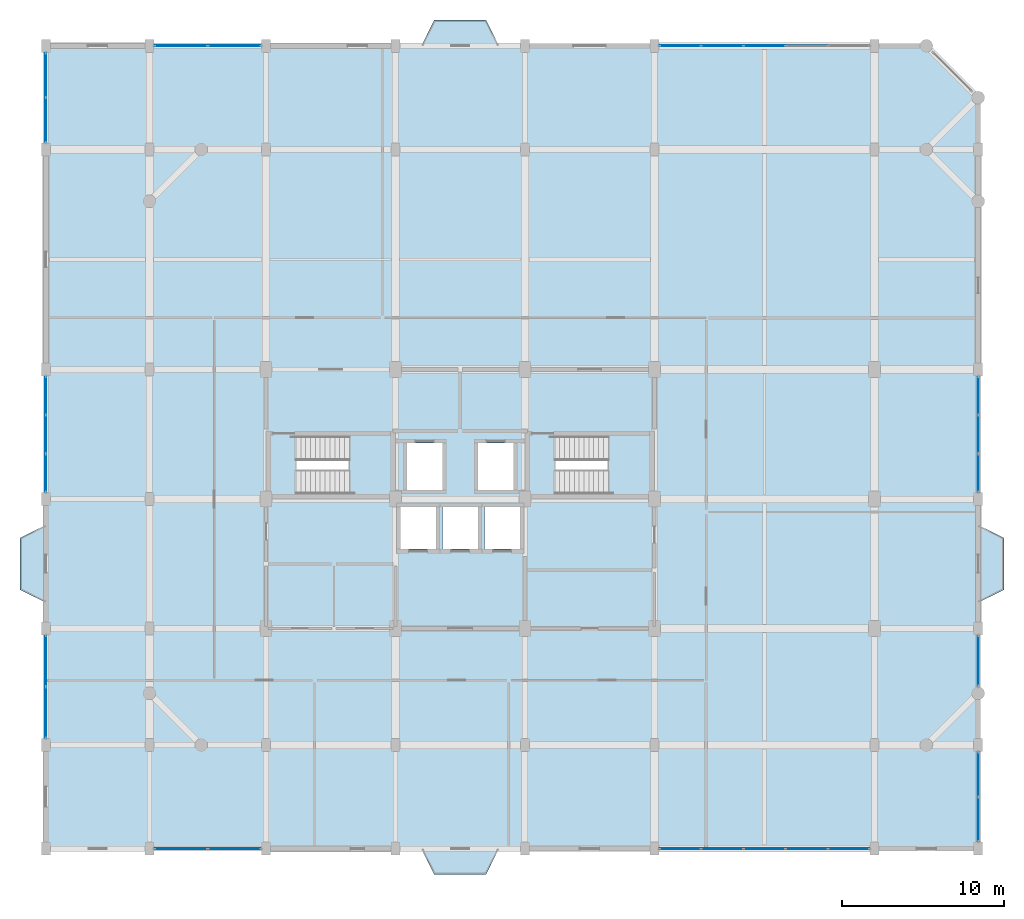
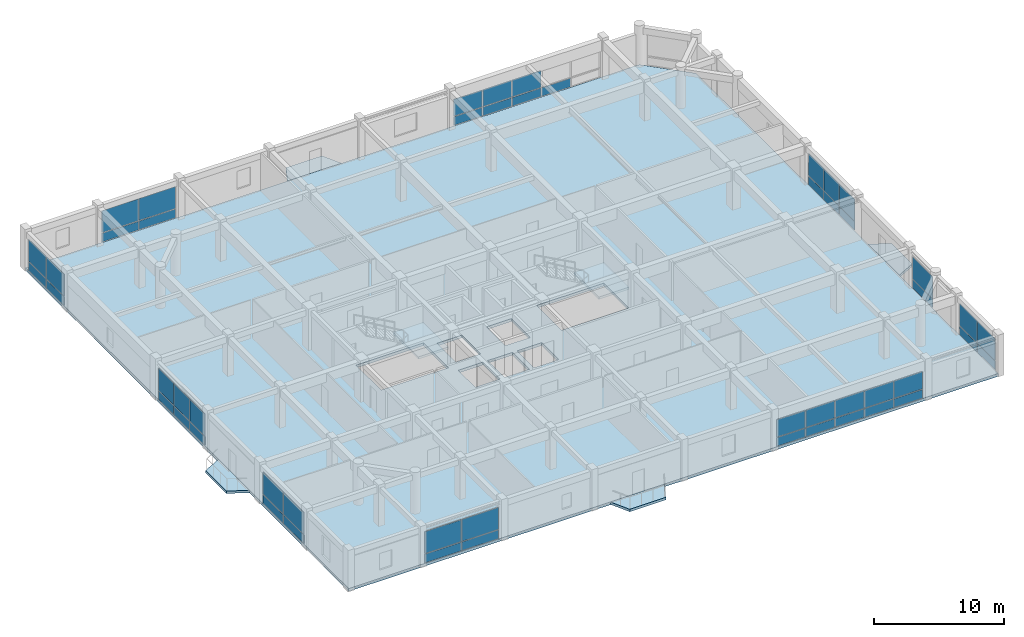
# One storey, part 10 of 15: 51 plates, 7 slabs, 12 elements without a shape of their own.
"""IFC4 building model written with IfcOpenShell, lengths in metres."""

from ifc_helpers import new_model, si_unit, direction, frame, origin, origin_2d, place, context, subcontext, project, spatial, polyline, rectangle, outline, extrude, material, layer, layer_set, type_object, element, aggregate, save


model = new_model("IFC4")

# Units and contexts
model_context = context("Model", 3, precision=1e-05, world=origin(), true_north=direction((0.0, 1.0)))
body_context = subcontext(model_context, "Body", "Model", "MODEL_VIEW")
ifc_project = project(units=[si_unit("LENGTHUNIT", "METRE"), si_unit("AREAUNIT", "SQUARE_METRE"), si_unit("VOLUMEUNIT", "CUBIC_METRE"), si_unit("PLANEANGLEUNIT", "RADIAN"), si_unit("MASSUNIT", "GRAM", prefix="KILO")], contexts=[model_context])

# Site, building, storey
site_placement = place(None, origin())
site = spatial("IfcSite", under=ifc_project, at=site_placement, CompositionType="ELEMENT")
building_placement = place(site_placement, origin())
building = spatial("IfcBuilding", under=site, at=building_placement, Name="Vellmiral Cinema and Media Centre", CompositionType="ELEMENT")
storey_placement = place(building_placement, frame((0.0, 0.0, 31.699951171875)))
storey = spatial("IfcBuildingStorey", under=building, at=storey_placement, Name="L07", CompositionType="ELEMENT", Elevation=31.699951171875)

# Curtain wall, plates
ifc_material_1 = material(Name="Thermally Broken Aluminium and Triple Glazing", Category="aluminium")
curtain_wall_type_1 = type_object("IfcCurtainWallType", Name="CW-TOWER-LOW-S", PredefinedType="USERDEFINED", material=ifc_material_1)
curtain_wall_1_placement = place(storey_placement, origin())
curtain_wall_1 = element("IfcCurtainWall", 1, at=curtain_wall_1_placement, inside=storey, type_object=curtain_wall_type_1, Name="Curtain Wall L07-B002", ObjectType="UNITISED CURTAIN WALL", PredefinedType="USERDEFINED")
ifc_material_2 = material(Name="Solar-Control Acoustic Triple Glazing", Category="glass")
ifc_layer_1 = layer(ifc_material_2, 0.0419921875, Name="Solar-Control Acoustic Triple Glazing")
ifc_layer_set_1 = layer_set([ifc_layer_1], Name="Solar-Control Acoustic Triple Glazing")
plate_type_1 = type_object("IfcPlateType", Name="CWP-SOLAR-42", PredefinedType="CURTAIN_PANEL", material=ifc_layer_set_1)
plate_1_placement = place(storey_placement, frame((118.753662109375, 65.60009765625, 0.9326171875), z_axis=(0.0, 0.0, 1.0), x_axis=(1.0, 0.0, 0.0)))
plate_1 = element("IfcPlate", 2, at=plate_1_placement, type_object=plate_type_1, Name="CW-06 panel 1.2", PredefinedType="CURTAIN_PANEL", context=body_context, shape_type="SweptSolid", body=[
    extrude(rectangle(XDim=3.2275390625, YDim=0.0419921875, at=origin_2d()), origin(), (0.0, 0.0, 1.0), 2.04248046875),
])
plate_2_placement = place(storey_placement, frame((122.046142578125, 65.60009765625, 0.9326171875), z_axis=(0.0, 0.0, 1.0), x_axis=(1.0, 0.0, 0.0)))
plate_2 = element("IfcPlate", 3, at=plate_2_placement, type_object=plate_type_1, Name="CW-06 panel 2.2", PredefinedType="CURTAIN_PANEL", context=body_context, shape_type="SweptSolid", body=[
    extrude(rectangle(XDim=3.2275390625, YDim=0.0419921875, at=origin_2d()), origin(), (0.0, 0.0, 1.0), 2.04248046875),
])

curtain_wall_2_placement = place(storey_placement, origin())
curtain_wall_2 = element("IfcCurtainWall", 4, at=curtain_wall_2_placement, inside=storey, type_object=curtain_wall_type_1, Name="Curtain Wall L07-B006", ObjectType="UNITISED CURTAIN WALL", PredefinedType="USERDEFINED")
plate_3_placement = place(storey_placement, frame((149.59619140625, 65.60009765625, 0.9326171875), z_axis=(0.0, 0.0, 1.0), x_axis=(1.0, 0.0, 0.0)))
plate_3 = element("IfcPlate", 5, at=plate_3_placement, type_object=plate_type_1, Name="CW-06 panel 1.2", PredefinedType="CURTAIN_PANEL", context=body_context, shape_type="SweptSolid", body=[
    extrude(rectangle(XDim=2.512451171875, YDim=0.0419921875, at=origin_2d()), origin(), (0.0, 0.0, 1.0), 1.62744140625),
])
plate_4_placement = place(storey_placement, frame((152.18994140625, 65.60009765625, 0.9326171875), z_axis=(0.0, 0.0, 1.0), x_axis=(1.0, 0.0, 0.0)))
plate_4 = element("IfcPlate", 6, at=plate_4_placement, type_object=plate_type_1, Name="CW-06 panel 2.2", PredefinedType="CURTAIN_PANEL", context=body_context, shape_type="SweptSolid", body=[
    extrude(rectangle(XDim=2.544921875, YDim=0.0419921875, at=origin_2d()), origin(), (0.0, 0.0, 1.0), 1.62744140625),
])
plate_5_placement = place(storey_placement, frame((154.800048828125, 65.60009765625, 0.9326171875), z_axis=(0.0, 0.0, 1.0), x_axis=(1.0, 0.0, 0.0)))
plate_5 = element("IfcPlate", 7, at=plate_5_placement, type_object=plate_type_1, Name="CW-06 panel 3.2", PredefinedType="CURTAIN_PANEL", context=body_context, shape_type="SweptSolid", body=[
    extrude(rectangle(XDim=2.544921875, YDim=0.0419921875, at=origin_2d()), origin(), (0.0, 0.0, 1.0), 1.62744140625),
])
plate_6_placement = place(storey_placement, frame((157.409912109375, 65.60009765625, 0.9326171875), z_axis=(0.0, 0.0, 1.0), x_axis=(1.0, 0.0, 0.0)))
plate_6 = element("IfcPlate", 8, at=plate_6_placement, type_object=plate_type_1, Name="CW-06 panel 4.2", PredefinedType="CURTAIN_PANEL", context=body_context, shape_type="SweptSolid", body=[
    extrude(rectangle(XDim=2.544921875, YDim=0.0419921875, at=origin_2d()), origin(), (0.0, 0.0, 1.0), 1.62744140625),
])
plate_7_placement = place(storey_placement, frame((160.003662109375, 65.60009765625, 0.9326171875), z_axis=(0.0, 0.0, 1.0), x_axis=(1.0, 0.0, 0.0)))
plate_7 = element("IfcPlate", 9, at=plate_7_placement, type_object=plate_type_1, Name="CW-06 panel 5.2", PredefinedType="CURTAIN_PANEL", context=body_context, shape_type="SweptSolid", body=[
    extrude(rectangle(XDim=2.512451171875, YDim=0.0419921875, at=origin_2d()), origin(), (0.0, 0.0, 1.0), 1.62744140625),
])

curtain_wall_3_placement = place(storey_placement, origin())
curtain_wall_3 = element("IfcCurtainWall", 10, at=curtain_wall_3_placement, inside=storey, type_object=curtain_wall_type_1, Name="Curtain Wall L07-B008", ObjectType="UNITISED CURTAIN WALL", PredefinedType="USERDEFINED")
plate_8_placement = place(storey_placement, frame((168.0, 67.416259765625, 0.9326171875), z_axis=(0.0, 0.0, 1.0), x_axis=(0.0, 1.0, 0.0)))
plate_8 = element("IfcPlate", 11, at=plate_8_placement, type_object=plate_type_1, Name="CW-06 panel 1.2", PredefinedType="CURTAIN_PANEL", context=body_context, shape_type="SweptSolid", body=[
    extrude(rectangle(XDim=2.702392578125, YDim=0.0419921875, at=origin_2d()), origin(), (0.0, 0.0, 1.0), 2.04248046875),
])
plate_9_placement = place(storey_placement, frame((168.0, 70.183837890625, 0.9326171875), z_axis=(0.0, 0.0, 1.0), x_axis=(0.0, 1.0, 0.0)))
plate_9 = element("IfcPlate", 12, at=plate_9_placement, type_object=plate_type_1, Name="CW-06 panel 2.2", PredefinedType="CURTAIN_PANEL", context=body_context, shape_type="SweptSolid", body=[
    extrude(rectangle(XDim=2.702392578125, YDim=0.0419921875, at=origin_2d()), origin(), (0.0, 0.0, 1.0), 2.04248046875),
])

# Curtain wall, plate
curtain_wall_4_placement = place(storey_placement, origin())
curtain_wall_4 = element("IfcCurtainWall", 13, at=curtain_wall_4_placement, inside=storey, type_object=curtain_wall_type_1, Name="Curtain Wall L07-B010", ObjectType="UNITISED CURTAIN WALL", PredefinedType="USERDEFINED")
plate_10_placement = place(storey_placement, frame((168.0, 77.199951171875, 0.9326171875), z_axis=(0.0, 0.0, 1.0), x_axis=(0.0, 1.0, 0.0)))
plate_10 = element("IfcPlate", 14, at=plate_10_placement, type_object=plate_type_1, Name="CW-06 panel 1.2", PredefinedType="CURTAIN_PANEL", context=body_context, shape_type="SweptSolid", body=[
    extrude(rectangle(XDim=3.070068359375, YDim=0.0419921875, at=origin_2d()), origin(), (0.0, 0.0, 1.0), 2.04248046875),
])

# Curtain wall, plates
curtain_wall_5_placement = place(storey_placement, origin())
curtain_wall_5 = element("IfcCurtainWall", 15, at=curtain_wall_5_placement, inside=storey, type_object=curtain_wall_type_1, Name="Curtain Wall L07-B012", ObjectType="UNITISED CURTAIN WALL", PredefinedType="USERDEFINED")
plate_11_placement = place(storey_placement, frame((168.0, 88.816162109375, 0.9326171875), z_axis=(0.0, 0.0, 1.0), x_axis=(0.0, 1.0, 0.0)))
plate_11 = element("IfcPlate", 16, at=plate_11_placement, type_object=plate_type_1, Name="CW-06 panel 1.2", PredefinedType="CURTAIN_PANEL", context=body_context, shape_type="SweptSolid", body=[
    extrude(rectangle(XDim=2.302490234375, YDim=0.0419921875, at=origin_2d()), origin(), (0.0, 0.0, 1.0), 2.04248046875),
])
plate_12_placement = place(storey_placement, frame((168.0, 91.199951171875, 0.9326171875), z_axis=(0.0, 0.0, 1.0), x_axis=(0.0, 1.0, 0.0)))
plate_12 = element("IfcPlate", 17, at=plate_12_placement, type_object=plate_type_1, Name="CW-06 panel 2.2", PredefinedType="CURTAIN_PANEL", context=body_context, shape_type="SweptSolid", body=[
    extrude(rectangle(XDim=2.3349609375, YDim=0.0419921875, at=origin_2d()), origin(), (0.0, 0.0, 1.0), 2.04248046875),
])
plate_13_placement = place(storey_placement, frame((168.0, 93.583740234375, 0.9326171875), z_axis=(0.0, 0.0, 1.0), x_axis=(0.0, 1.0, 0.0)))
plate_13 = element("IfcPlate", 18, at=plate_13_placement, type_object=plate_type_1, Name="CW-06 panel 3.2", PredefinedType="CURTAIN_PANEL", context=body_context, shape_type="SweptSolid", body=[
    extrude(rectangle(XDim=2.302490234375, YDim=0.0419921875, at=origin_2d()), origin(), (0.0, 0.0, 1.0), 2.04248046875),
])

curtain_wall_6_placement = place(storey_placement, origin())
curtain_wall_6 = element("IfcCurtainWall", 19, at=curtain_wall_6_placement, inside=storey, type_object=curtain_wall_type_1, Name="Curtain Wall L07-B018", ObjectType="UNITISED CURTAIN WALL", PredefinedType="USERDEFINED")
plate_14_placement = place(storey_placement, frame((154.800048828125, 115.199951171875, 0.9326171875), z_axis=(0.0, 0.0, 1.0), x_axis=(-1.0, 0.0, 0.0)))
plate_14 = element("IfcPlate", 20, at=plate_14_placement, type_object=plate_type_1, Name="CW-06 panel 3.2", PredefinedType="CURTAIN_PANEL", context=body_context, shape_type="SweptSolid", body=[
    extrude(rectangle(XDim=2.544921875, YDim=0.0419921875, at=origin_2d()), origin(), (0.0, 0.0, 1.0), 1.577392578125),
])
plate_15_placement = place(storey_placement, frame((152.18994140625, 115.199951171875, 0.9326171875), z_axis=(0.0, 0.0, 1.0), x_axis=(-1.0, 0.0, 0.0)))
plate_15 = element("IfcPlate", 21, at=plate_15_placement, type_object=plate_type_1, Name="CW-06 panel 4.2", PredefinedType="CURTAIN_PANEL", context=body_context, shape_type="SweptSolid", body=[
    extrude(rectangle(XDim=2.544921875, YDim=0.0419921875, at=origin_2d()), origin(), (0.0, 0.0, 1.0), 1.577392578125),
])
plate_16_placement = place(storey_placement, frame((149.59619140625, 115.199951171875, 0.9326171875), z_axis=(0.0, 0.0, 1.0), x_axis=(-1.0, 0.0, 0.0)))
plate_16 = element("IfcPlate", 22, at=plate_16_placement, type_object=plate_type_1, Name="CW-06 panel 5.2", PredefinedType="CURTAIN_PANEL", context=body_context, shape_type="SweptSolid", body=[
    extrude(rectangle(XDim=2.512451171875, YDim=0.0419921875, at=origin_2d()), origin(), (0.0, 0.0, 1.0), 1.577392578125),
])

curtain_wall_7_placement = place(storey_placement, origin())
curtain_wall_7 = element("IfcCurtainWall", 23, at=curtain_wall_7_placement, inside=storey, type_object=curtain_wall_type_1, Name="Curtain Wall L07-B022", ObjectType="UNITISED CURTAIN WALL", PredefinedType="USERDEFINED")
plate_17_placement = place(storey_placement, frame((122.046142578125, 115.199951171875, 0.9326171875), z_axis=(0.0, 0.0, 1.0), x_axis=(-1.0, 0.0, 0.0)))
plate_17 = element("IfcPlate", 24, at=plate_17_placement, type_object=plate_type_1, Name="CW-06 panel 1.2", PredefinedType="CURTAIN_PANEL", context=body_context, shape_type="SweptSolid", body=[
    extrude(rectangle(XDim=3.2275390625, YDim=0.0419921875, at=origin_2d()), origin(), (0.0, 0.0, 1.0), 2.04248046875),
])
plate_18_placement = place(storey_placement, frame((118.753662109375, 115.199951171875, 0.9326171875), z_axis=(0.0, 0.0, 1.0), x_axis=(-1.0, 0.0, 0.0)))
plate_18 = element("IfcPlate", 25, at=plate_18_placement, type_object=plate_type_1, Name="CW-06 panel 2.2", PredefinedType="CURTAIN_PANEL", context=body_context, shape_type="SweptSolid", body=[
    extrude(rectangle(XDim=3.2275390625, YDim=0.0419921875, at=origin_2d()), origin(), (0.0, 0.0, 1.0), 2.04248046875),
])

# Plate
ifc_material_3 = material(Name="Polychrome Trencadis Ceramic Spandrel Panel", Category="ceramic")
ifc_layer_2 = layer(ifc_material_3, 0.052001953125, Name="Polychrome Trencadis Ceramic Spandrel Panel")
ifc_layer_set_2 = layer_set([ifc_layer_2], Name="Polychrome Trencadis Ceramic Spandrel Panel")
plate_type_2 = type_object("IfcPlateType", Name="CWP-TRENC-52", PredefinedType="CURTAIN_PANEL", material=ifc_layer_set_2)
plate_19_placement = place(storey_placement, frame((118.753662109375, 65.60009765625, 0.06494140625), z_axis=(0.0, 0.0, 1.0), x_axis=(1.0, 0.0, 0.0)))
plate_19 = element("IfcPlate", 26, at=plate_19_placement, type_object=plate_type_2, Name="CW-06 panel 1.1", PredefinedType="CURTAIN_PANEL", context=body_context, shape_type="SweptSolid", body=[
    extrude(rectangle(XDim=3.2275390625, YDim=0.052001953125, at=origin_2d()), origin(), (0.0, 0.0, 1.0), 0.802490234375),
])

plate_20_placement = place(storey_placement, frame((122.046142578125, 65.60009765625, 0.06494140625), z_axis=(0.0, 0.0, 1.0), x_axis=(1.0, 0.0, 0.0)))
plate_20 = element("IfcPlate", 27, at=plate_20_placement, type_object=plate_type_2, Name="CW-06 panel 2.1", PredefinedType="CURTAIN_PANEL", context=body_context, shape_type="SweptSolid", body=[
    extrude(rectangle(XDim=3.2275390625, YDim=0.052001953125, at=origin_2d()), origin(), (0.0, 0.0, 1.0), 0.802490234375),
])

aggregate(curtain_wall_1, [plate_19, plate_1, plate_20, plate_2])

plate_21_placement = place(storey_placement, frame((149.59619140625, 65.60009765625, 0.06494140625), z_axis=(0.0, 0.0, 1.0), x_axis=(1.0, 0.0, 0.0)))
plate_21 = element("IfcPlate", 28, at=plate_21_placement, type_object=plate_type_2, Name="CW-06 panel 1.1", PredefinedType="CURTAIN_PANEL", context=body_context, shape_type="SweptSolid", body=[
    extrude(rectangle(XDim=2.512451171875, YDim=0.052001953125, at=origin_2d()), origin(), (0.0, 0.0, 1.0), 0.802490234375),
])

plate_22_placement = place(storey_placement, frame((152.18994140625, 65.60009765625, 0.06494140625), z_axis=(0.0, 0.0, 1.0), x_axis=(1.0, 0.0, 0.0)))
plate_22 = element("IfcPlate", 29, at=plate_22_placement, type_object=plate_type_2, Name="CW-06 panel 2.1", PredefinedType="CURTAIN_PANEL", context=body_context, shape_type="SweptSolid", body=[
    extrude(rectangle(XDim=2.544921875, YDim=0.052001953125, at=origin_2d()), origin(), (0.0, 0.0, 1.0), 0.802490234375),
])

plate_23_placement = place(storey_placement, frame((154.800048828125, 65.60009765625, 0.06494140625), z_axis=(0.0, 0.0, 1.0), x_axis=(1.0, 0.0, 0.0)))
plate_23 = element("IfcPlate", 30, at=plate_23_placement, type_object=plate_type_2, Name="CW-06 panel 3.1", PredefinedType="CURTAIN_PANEL", context=body_context, shape_type="SweptSolid", body=[
    extrude(rectangle(XDim=2.544921875, YDim=0.052001953125, at=origin_2d()), origin(), (0.0, 0.0, 1.0), 0.802490234375),
])

plate_24_placement = place(storey_placement, frame((157.409912109375, 65.60009765625, 0.06494140625), z_axis=(0.0, 0.0, 1.0), x_axis=(1.0, 0.0, 0.0)))
plate_24 = element("IfcPlate", 31, at=plate_24_placement, type_object=plate_type_2, Name="CW-06 panel 4.1", PredefinedType="CURTAIN_PANEL", context=body_context, shape_type="SweptSolid", body=[
    extrude(rectangle(XDim=2.544921875, YDim=0.052001953125, at=origin_2d()), origin(), (0.0, 0.0, 1.0), 0.802490234375),
])

plate_25_placement = place(storey_placement, frame((160.003662109375, 65.60009765625, 0.06494140625), z_axis=(0.0, 0.0, 1.0), x_axis=(1.0, 0.0, 0.0)))
plate_25 = element("IfcPlate", 32, at=plate_25_placement, type_object=plate_type_2, Name="CW-06 panel 5.1", PredefinedType="CURTAIN_PANEL", context=body_context, shape_type="SweptSolid", body=[
    extrude(rectangle(XDim=2.512451171875, YDim=0.052001953125, at=origin_2d()), origin(), (0.0, 0.0, 1.0), 0.802490234375),
])

aggregate(curtain_wall_2, [plate_21, plate_3, plate_22, plate_4, plate_23, plate_5, plate_24, plate_6, plate_25, plate_7])

plate_26_placement = place(storey_placement, frame((168.0, 67.416259765625, 0.06494140625), z_axis=(0.0, 0.0, 1.0), x_axis=(0.0, 1.0, 0.0)))
plate_26 = element("IfcPlate", 33, at=plate_26_placement, type_object=plate_type_2, Name="CW-06 panel 1.1", PredefinedType="CURTAIN_PANEL", context=body_context, shape_type="SweptSolid", body=[
    extrude(rectangle(XDim=2.702392578125, YDim=0.052001953125, at=origin_2d()), origin(), (0.0, 0.0, 1.0), 0.802490234375),
])

plate_27_placement = place(storey_placement, frame((168.0, 70.183837890625, 0.06494140625), z_axis=(0.0, 0.0, 1.0), x_axis=(0.0, 1.0, 0.0)))
plate_27 = element("IfcPlate", 34, at=plate_27_placement, type_object=plate_type_2, Name="CW-06 panel 2.1", PredefinedType="CURTAIN_PANEL", context=body_context, shape_type="SweptSolid", body=[
    extrude(rectangle(XDim=2.702392578125, YDim=0.052001953125, at=origin_2d()), origin(), (0.0, 0.0, 1.0), 0.802490234375),
])

aggregate(curtain_wall_3, [plate_26, plate_8, plate_27, plate_9])

plate_28_placement = place(storey_placement, frame((168.0, 77.199951171875, 0.06494140625), z_axis=(0.0, 0.0, 1.0), x_axis=(0.0, 1.0, 0.0)))
plate_28 = element("IfcPlate", 35, at=plate_28_placement, type_object=plate_type_2, Name="CW-06 panel 1.1", PredefinedType="CURTAIN_PANEL", context=body_context, shape_type="SweptSolid", body=[
    extrude(rectangle(XDim=3.070068359375, YDim=0.052001953125, at=origin_2d()), origin(), (0.0, 0.0, 1.0), 0.802490234375),
])

aggregate(curtain_wall_4, [plate_28, plate_10])

plate_29_placement = place(storey_placement, frame((168.0, 88.816162109375, 0.06494140625), z_axis=(0.0, 0.0, 1.0), x_axis=(0.0, 1.0, 0.0)))
plate_29 = element("IfcPlate", 36, at=plate_29_placement, type_object=plate_type_2, Name="CW-06 panel 1.1", PredefinedType="CURTAIN_PANEL", context=body_context, shape_type="SweptSolid", body=[
    extrude(rectangle(XDim=2.302490234375, YDim=0.052001953125, at=origin_2d()), origin(), (0.0, 0.0, 1.0), 0.802490234375),
])

plate_30_placement = place(storey_placement, frame((168.0, 91.199951171875, 0.06494140625), z_axis=(0.0, 0.0, 1.0), x_axis=(0.0, 1.0, 0.0)))
plate_30 = element("IfcPlate", 37, at=plate_30_placement, type_object=plate_type_2, Name="CW-06 panel 2.1", PredefinedType="CURTAIN_PANEL", context=body_context, shape_type="SweptSolid", body=[
    extrude(rectangle(XDim=2.3349609375, YDim=0.052001953125, at=origin_2d()), origin(), (0.0, 0.0, 1.0), 0.802490234375),
])

plate_31_placement = place(storey_placement, frame((168.0, 93.583740234375, 0.06494140625), z_axis=(0.0, 0.0, 1.0), x_axis=(0.0, 1.0, 0.0)))
plate_31 = element("IfcPlate", 38, at=plate_31_placement, type_object=plate_type_2, Name="CW-06 panel 3.1", PredefinedType="CURTAIN_PANEL", context=body_context, shape_type="SweptSolid", body=[
    extrude(rectangle(XDim=2.302490234375, YDim=0.052001953125, at=origin_2d()), origin(), (0.0, 0.0, 1.0), 0.802490234375),
])

aggregate(curtain_wall_5, [plate_29, plate_11, plate_30, plate_12, plate_31, plate_13])

plate_32_placement = place(storey_placement, frame((157.409912109375, 115.199951171875, 0.06494140625), z_axis=(0.0, 0.0, 1.0), x_axis=(-1.0, 0.0, 0.0)))
plate_32 = element("IfcPlate", 39, at=plate_32_placement, type_object=plate_type_2, Name="CW-06 panel 2.1", PredefinedType="CURTAIN_PANEL", context=body_context, shape_type="SweptSolid", body=[
    extrude(rectangle(XDim=2.544921875, YDim=0.052001953125, at=origin_2d()), origin(), (0.0, 0.0, 1.0), 0.802490234375),
])

plate_33_placement = place(storey_placement, frame((154.800048828125, 115.199951171875, 0.06494140625), z_axis=(0.0, 0.0, 1.0), x_axis=(-1.0, 0.0, 0.0)))
plate_33 = element("IfcPlate", 40, at=plate_33_placement, type_object=plate_type_2, Name="CW-06 panel 3.1", PredefinedType="CURTAIN_PANEL", context=body_context, shape_type="SweptSolid", body=[
    extrude(rectangle(XDim=2.544921875, YDim=0.052001953125, at=origin_2d()), origin(), (0.0, 0.0, 1.0), 0.802490234375),
])

plate_34_placement = place(storey_placement, frame((152.18994140625, 115.199951171875, 0.06494140625), z_axis=(0.0, 0.0, 1.0), x_axis=(-1.0, 0.0, 0.0)))
plate_34 = element("IfcPlate", 41, at=plate_34_placement, type_object=plate_type_2, Name="CW-06 panel 4.1", PredefinedType="CURTAIN_PANEL", context=body_context, shape_type="SweptSolid", body=[
    extrude(rectangle(XDim=2.544921875, YDim=0.052001953125, at=origin_2d()), origin(), (0.0, 0.0, 1.0), 0.802490234375),
])

plate_35_placement = place(storey_placement, frame((149.59619140625, 115.199951171875, 0.06494140625), z_axis=(0.0, 0.0, 1.0), x_axis=(-1.0, 0.0, 0.0)))
plate_35 = element("IfcPlate", 42, at=plate_35_placement, type_object=plate_type_2, Name="CW-06 panel 5.1", PredefinedType="CURTAIN_PANEL", context=body_context, shape_type="SweptSolid", body=[
    extrude(rectangle(XDim=2.512451171875, YDim=0.052001953125, at=origin_2d()), origin(), (0.0, 0.0, 1.0), 0.802490234375),
])

aggregate(curtain_wall_6, [plate_32, plate_33, plate_14, plate_34, plate_15, plate_35, plate_16])

plate_36_placement = place(storey_placement, frame((122.046142578125, 115.199951171875, 0.06494140625), z_axis=(0.0, 0.0, 1.0), x_axis=(-1.0, 0.0, 0.0)))
plate_36 = element("IfcPlate", 43, at=plate_36_placement, type_object=plate_type_2, Name="CW-06 panel 1.1", PredefinedType="CURTAIN_PANEL", context=body_context, shape_type="SweptSolid", body=[
    extrude(rectangle(XDim=3.2275390625, YDim=0.052001953125, at=origin_2d()), origin(), (0.0, 0.0, 1.0), 0.802490234375),
])

plate_37_placement = place(storey_placement, frame((118.753662109375, 115.199951171875, 0.06494140625), z_axis=(0.0, 0.0, 1.0), x_axis=(-1.0, 0.0, 0.0)))
plate_37 = element("IfcPlate", 44, at=plate_37_placement, type_object=plate_type_2, Name="CW-06 panel 2.1", PredefinedType="CURTAIN_PANEL", context=body_context, shape_type="SweptSolid", body=[
    extrude(rectangle(XDim=3.2275390625, YDim=0.052001953125, at=origin_2d()), origin(), (0.0, 0.0, 1.0), 0.802490234375),
])

aggregate(curtain_wall_7, [plate_36, plate_17, plate_37, plate_18])

# Curtain wall, plates
ifc_material_4 = material(Name="Thermally Broken Aluminium and Triple Glazing", Category="aluminium")
curtain_wall_type_2 = type_object("IfcCurtainWallType", Name="CW-TOWER-LOW-N", PredefinedType="USERDEFINED", material=ifc_material_4)
curtain_wall_8_placement = place(storey_placement, origin())
curtain_wall_8 = element("IfcCurtainWall", 45, at=curtain_wall_8_placement, inside=storey, type_object=curtain_wall_type_2, Name="Curtain Wall L07-B024", ObjectType="UNITISED CURTAIN WALL", PredefinedType="USERDEFINED")
plate_38_placement = place(storey_placement, frame((110.39990234375, 113.3837890625, 0.06494140625), z_axis=(0.0, 0.0, 1.0), x_axis=(0.0, -1.0, 0.0)))
plate_38 = element("IfcPlate", 46, at=plate_38_placement, type_object=plate_type_2, Name="CW-05 panel 1.1", PredefinedType="CURTAIN_PANEL", context=body_context, shape_type="SweptSolid", body=[
    extrude(rectangle(XDim=2.702392578125, YDim=0.052001953125, at=origin_2d()), origin(), (0.0, 0.0, 1.0), 0.802490234375),
])
plate_39_placement = place(storey_placement, frame((110.39990234375, 110.6162109375, 0.06494140625), z_axis=(0.0, 0.0, 1.0), x_axis=(0.0, -1.0, 0.0)))
plate_39 = element("IfcPlate", 47, at=plate_39_placement, type_object=plate_type_2, Name="CW-05 panel 2.1", PredefinedType="CURTAIN_PANEL", context=body_context, shape_type="SweptSolid", body=[
    extrude(rectangle(XDim=2.702392578125, YDim=0.052001953125, at=origin_2d()), origin(), (0.0, 0.0, 1.0), 0.802490234375),
])

curtain_wall_9_placement = place(storey_placement, origin())
curtain_wall_9 = element("IfcCurtainWall", 48, at=curtain_wall_9_placement, inside=storey, type_object=curtain_wall_type_2, Name="Curtain Wall L07-B026", ObjectType="UNITISED CURTAIN WALL", PredefinedType="USERDEFINED")
plate_40_placement = place(storey_placement, frame((110.39990234375, 93.583740234375, 0.06494140625), z_axis=(0.0, 0.0, 1.0), x_axis=(0.0, -1.0, 0.0)))
plate_40 = element("IfcPlate", 49, at=plate_40_placement, type_object=plate_type_2, Name="CW-05 panel 1.1", PredefinedType="CURTAIN_PANEL", context=body_context, shape_type="SweptSolid", body=[
    extrude(rectangle(XDim=2.302490234375, YDim=0.052001953125, at=origin_2d()), origin(), (0.0, 0.0, 1.0), 0.802490234375),
])
plate_41_placement = place(storey_placement, frame((110.39990234375, 91.199951171875, 0.06494140625), z_axis=(0.0, 0.0, 1.0), x_axis=(0.0, -1.0, 0.0)))
plate_41 = element("IfcPlate", 50, at=plate_41_placement, type_object=plate_type_2, Name="CW-05 panel 2.1", PredefinedType="CURTAIN_PANEL", context=body_context, shape_type="SweptSolid", body=[
    extrude(rectangle(XDim=2.3349609375, YDim=0.052001953125, at=origin_2d()), origin(), (0.0, 0.0, 1.0), 0.802490234375),
])
plate_42_placement = place(storey_placement, frame((110.39990234375, 88.816162109375, 0.06494140625), z_axis=(0.0, 0.0, 1.0), x_axis=(0.0, -1.0, 0.0)))
plate_42 = element("IfcPlate", 51, at=plate_42_placement, type_object=plate_type_2, Name="CW-05 panel 3.1", PredefinedType="CURTAIN_PANEL", context=body_context, shape_type="SweptSolid", body=[
    extrude(rectangle(XDim=2.302490234375, YDim=0.052001953125, at=origin_2d()), origin(), (0.0, 0.0, 1.0), 0.802490234375),
])

curtain_wall_10_placement = place(storey_placement, origin())
curtain_wall_10 = element("IfcCurtainWall", 52, at=curtain_wall_10_placement, inside=storey, type_object=curtain_wall_type_2, Name="Curtain Wall L07-B028", ObjectType="UNITISED CURTAIN WALL", PredefinedType="USERDEFINED")
plate_43_placement = place(storey_placement, frame((110.39990234375, 77.183837890625, 0.06494140625), z_axis=(0.0, 0.0, 1.0), x_axis=(0.0, -1.0, 0.0)))
plate_43 = element("IfcPlate", 53, at=plate_43_placement, type_object=plate_type_2, Name="CW-05 panel 1.1", PredefinedType="CURTAIN_PANEL", context=body_context, shape_type="SweptSolid", body=[
    extrude(rectangle(XDim=3.1025390625, YDim=0.052001953125, at=origin_2d()), origin(), (0.0, 0.0, 1.0), 0.802490234375),
])
plate_44_placement = place(storey_placement, frame((110.39990234375, 74.016357421875, 0.06494140625), z_axis=(0.0, 0.0, 1.0), x_axis=(0.0, -1.0, 0.0)))
plate_44 = element("IfcPlate", 54, at=plate_44_placement, type_object=plate_type_2, Name="CW-05 panel 2.1", PredefinedType="CURTAIN_PANEL", context=body_context, shape_type="SweptSolid", body=[
    extrude(rectangle(XDim=3.1025390625, YDim=0.052001953125, at=origin_2d()), origin(), (0.0, 0.0, 1.0), 0.802490234375),
])

# Plate
ifc_material_5 = material(Name="Triple Low-E Vision Glazing", Category="glass")
ifc_layer_3 = layer(ifc_material_5, 0.0380859375, Name="Triple Low-E Vision Glazing")
ifc_layer_set_3 = layer_set([ifc_layer_3], Name="Triple Low-E Vision Glazing")
plate_type_3 = type_object("IfcPlateType", Name="CWP-VISION-38", PredefinedType="CURTAIN_PANEL", material=ifc_layer_set_3)
plate_45_placement = place(storey_placement, frame((110.39990234375, 113.3837890625, 0.9326171875), z_axis=(0.0, 0.0, 1.0), x_axis=(0.0, -1.0, 0.0)))
plate_45 = element("IfcPlate", 55, at=plate_45_placement, type_object=plate_type_3, Name="CW-05 panel 1.2", PredefinedType="CURTAIN_PANEL", context=body_context, shape_type="SweptSolid", body=[
    extrude(rectangle(XDim=2.702392578125, YDim=0.0380859375, at=origin_2d()), origin(), (0.0, 0.0, 1.0), 2.04248046875),
])

plate_46_placement = place(storey_placement, frame((110.39990234375, 110.6162109375, 0.9326171875), z_axis=(0.0, 0.0, 1.0), x_axis=(0.0, -1.0, 0.0)))
plate_46 = element("IfcPlate", 56, at=plate_46_placement, type_object=plate_type_3, Name="CW-05 panel 2.2", PredefinedType="CURTAIN_PANEL", context=body_context, shape_type="SweptSolid", body=[
    extrude(rectangle(XDim=2.702392578125, YDim=0.0380859375, at=origin_2d()), origin(), (0.0, 0.0, 1.0), 2.04248046875),
])

aggregate(curtain_wall_8, [plate_38, plate_45, plate_39, plate_46])

plate_47_placement = place(storey_placement, frame((110.39990234375, 93.583740234375, 0.9326171875), z_axis=(0.0, 0.0, 1.0), x_axis=(0.0, -1.0, 0.0)))
plate_47 = element("IfcPlate", 57, at=plate_47_placement, type_object=plate_type_3, Name="CW-05 panel 1.2", PredefinedType="CURTAIN_PANEL", context=body_context, shape_type="SweptSolid", body=[
    extrude(rectangle(XDim=2.302490234375, YDim=0.0380859375, at=origin_2d()), origin(), (0.0, 0.0, 1.0), 2.04248046875),
])

plate_48_placement = place(storey_placement, frame((110.39990234375, 91.199951171875, 0.9326171875), z_axis=(0.0, 0.0, 1.0), x_axis=(0.0, -1.0, 0.0)))
plate_48 = element("IfcPlate", 58, at=plate_48_placement, type_object=plate_type_3, Name="CW-05 panel 2.2", PredefinedType="CURTAIN_PANEL", context=body_context, shape_type="SweptSolid", body=[
    extrude(rectangle(XDim=2.3349609375, YDim=0.0380859375, at=origin_2d()), origin(), (0.0, 0.0, 1.0), 2.04248046875),
])

plate_49_placement = place(storey_placement, frame((110.39990234375, 88.816162109375, 0.9326171875), z_axis=(0.0, 0.0, 1.0), x_axis=(0.0, -1.0, 0.0)))
plate_49 = element("IfcPlate", 59, at=plate_49_placement, type_object=plate_type_3, Name="CW-05 panel 3.2", PredefinedType="CURTAIN_PANEL", context=body_context, shape_type="SweptSolid", body=[
    extrude(rectangle(XDim=2.302490234375, YDim=0.0380859375, at=origin_2d()), origin(), (0.0, 0.0, 1.0), 2.04248046875),
])

aggregate(curtain_wall_9, [plate_40, plate_47, plate_41, plate_48, plate_42, plate_49])

plate_50_placement = place(storey_placement, frame((110.39990234375, 77.183837890625, 0.9326171875), z_axis=(0.0, 0.0, 1.0), x_axis=(0.0, -1.0, 0.0)))
plate_50 = element("IfcPlate", 60, at=plate_50_placement, type_object=plate_type_3, Name="CW-05 panel 1.2", PredefinedType="CURTAIN_PANEL", context=body_context, shape_type="SweptSolid", body=[
    extrude(rectangle(XDim=3.1025390625, YDim=0.0380859375, at=origin_2d()), origin(), (0.0, 0.0, 1.0), 2.04248046875),
])

plate_51_placement = place(storey_placement, frame((110.39990234375, 74.016357421875, 0.9326171875), z_axis=(0.0, 0.0, 1.0), x_axis=(0.0, -1.0, 0.0)))
plate_51 = element("IfcPlate", 61, at=plate_51_placement, type_object=plate_type_3, Name="CW-05 panel 2.2", PredefinedType="CURTAIN_PANEL", context=body_context, shape_type="SweptSolid", body=[
    extrude(rectangle(XDim=3.1025390625, YDim=0.0380859375, at=origin_2d()), origin(), (0.0, 0.0, 1.0), 2.04248046875),
])

aggregate(curtain_wall_10, [plate_43, plate_50, plate_44, plate_51])

# Slab
ifc_material_6 = material(Name="Concrete C40/50", Category="concrete")
ifc_layer_4 = layer(ifc_material_6, 0.260009765625, Name="Concrete C40/50")
ifc_layer_set_4 = layer_set([ifc_layer_4], Name="Concrete C40/50")
slab_type_1 = type_object("IfcSlabType", Name="SLB-FLR-260", PredefinedType="FLOOR", material=ifc_layer_set_4)
slab_1_placement = place(storey_placement, frame((0.0, 0.0, -0.260009765625)))
element("IfcSlab", 62, at=slab_1_placement, inside=storey, type_object=slab_type_1, Name="L07 Structural Slab", PredefinedType="FLOOR", context=body_context, shape_type="SweptSolid", body=[
    extrude(outline(polyline([(110.39990234375, 65.60009765625), (168.0, 65.60009765625), (168.0, 112.0), (164.800048828125, 115.199951171875), (110.39990234375, 115.199951171875), (110.39990234375, 65.60009765625)]), holes=[polyline([(125.85009765625, 87.3798828125), (131.820068359375, 87.3798828125), (131.820068359375, 91.219970703125), (125.85009765625, 91.219970703125), (125.85009765625, 87.3798828125)]), polyline([(141.85009765625, 87.3798828125), (147.820068359375, 87.3798828125), (147.820068359375, 91.219970703125), (141.85009765625, 91.219970703125), (141.85009765625, 87.3798828125)]), polyline([(132.699951171875, 87.75), (134.89990234375, 87.75), (134.89990234375, 90.64990234375), (132.699951171875, 90.64990234375), (132.699951171875, 87.75)]), polyline([(137.10009765625, 87.75), (139.300048828125, 87.75), (139.300048828125, 90.64990234375), (137.10009765625, 90.64990234375), (137.10009765625, 87.75)]), polyline([(132.300048828125, 84.10009765625), (134.5, 84.10009765625), (134.5, 86.699951171875), (132.300048828125, 86.699951171875), (132.300048828125, 84.10009765625)]), polyline([(134.89990234375, 84.10009765625), (137.10009765625, 84.10009765625), (137.10009765625, 86.699951171875), (134.89990234375, 86.699951171875), (134.89990234375, 84.10009765625)]), polyline([(137.5, 84.10009765625), (139.699951171875, 84.10009765625), (139.699951171875, 86.699951171875), (137.5, 86.699951171875), (137.5, 84.10009765625)])]), origin(), (0.0, 0.0, 1.0), 0.260009765625),
])

# Stair, slab
ifc_material_7 = material(Name="Concrete C40/50", Category="concrete")
stair_type = type_object("IfcStairType", Name="ST-2RET-390", PredefinedType="HALF_TURN_STAIR", material=ifc_material_7)
stair_1_placement = place(storey_placement, origin())
stair_1 = element("IfcStair", 63, at=stair_1_placement, inside=storey, type_object=stair_type, Name="Protected Escape Stair ST-T1 (L07)", PredefinedType="HALF_TURN_STAIR")
ifc_material_8 = material(Name="Concrete C40/50", Category="concrete")
ifc_layer_5 = layer(ifc_material_8, 0.219970703125, Name="Concrete C40/50")
ifc_layer_set_5 = layer_set([ifc_layer_5], Name="Concrete C40/50")
slab_type_2 = type_object("IfcSlabType", Name="SLB-LAND-220", PredefinedType="LANDING", material=ifc_layer_set_5)
slab_2_placement = place(storey_placement, frame((0.0, 0.0, 1.72998046875)))
slab_2 = element("IfcSlab", 64, at=slab_2_placement, type_object=slab_type_2, Name="ST-T1 landing 1", PredefinedType="LANDING", context=body_context, shape_type="SweptSolid", body=[
    extrude(outline(polyline([(129.14990234375, 87.3798828125), (131.820068359375, 87.3798828125), (131.820068359375, 91.219970703125), (129.14990234375, 91.219970703125), (129.14990234375, 87.3798828125)])), origin(), (0.0, 0.0, 1.0), 0.219970703125),
])
aggregate(stair_1, [slab_2])

stair_2_placement = place(storey_placement, origin())
stair_2 = element("IfcStair", 65, at=stair_2_placement, inside=storey, type_object=stair_type, Name="Protected Escape Stair ST-T2 (L07)", PredefinedType="HALF_TURN_STAIR")
slab_3_placement = place(storey_placement, frame((0.0, 0.0, 1.72998046875)))
slab_3 = element("IfcSlab", 66, at=slab_3_placement, type_object=slab_type_2, Name="ST-T2 landing 1", PredefinedType="LANDING", context=body_context, shape_type="SweptSolid", body=[
    extrude(outline(polyline([(145.14990234375, 87.3798828125), (147.820068359375, 87.3798828125), (147.820068359375, 91.219970703125), (145.14990234375, 91.219970703125), (145.14990234375, 87.3798828125)])), origin(), (0.0, 0.0, 1.0), 0.219970703125),
])
aggregate(stair_2, [slab_3])

# Slabs
ifc_material_9 = material(Name="Concrete C40/50", Category="concrete")
ifc_layer_6 = layer(ifc_material_9, 0.22998046875, Name="Concrete C40/50")
ifc_layer_set_6 = layer_set([ifc_layer_6], Name="Concrete C40/50")
slab_type_3 = type_object("IfcSlabType", Name="SLB-MIRA-230", PredefinedType="FLOOR", material=ifc_layer_set_6)
slab_4_placement = place(storey_placement, frame((0.0, 0.0, -0.22998046875)))
element("IfcSlab", 67, at=slab_4_placement, inside=storey, type_object=slab_type_3, Name="Catalan Mirador Balcony L07-E", PredefinedType="FLOOR", context=body_context, shape_type="SweptSolid", body=[
    extrude(outline(polyline([(168.0, 80.800048828125), (169.60009765625, 81.60009765625), (169.60009765625, 84.800048828125), (168.0, 85.60009765625), (168.0, 80.800048828125)])), origin(), (0.0, 0.0, 1.0), 0.22998046875),
])
slab_5_placement = place(storey_placement, frame((0.0, 0.0, -0.22998046875)))
element("IfcSlab", 68, at=slab_5_placement, inside=storey, type_object=slab_type_3, Name="Catalan Mirador Balcony L07-N", PredefinedType="FLOOR", context=body_context, shape_type="SweptSolid", body=[
    extrude(outline(polyline([(133.60009765625, 115.199951171875), (138.39990234375, 115.199951171875), (137.60009765625, 116.800048828125), (134.39990234375, 116.800048828125), (133.60009765625, 115.199951171875)])), origin(), (0.0, 0.0, 1.0), 0.22998046875),
])
slab_6_placement = place(storey_placement, frame((0.0, 0.0, -0.22998046875)))
element("IfcSlab", 69, at=slab_6_placement, inside=storey, type_object=slab_type_3, Name="Catalan Mirador Balcony L07-W", PredefinedType="FLOOR", context=body_context, shape_type="SweptSolid", body=[
    extrude(outline(polyline([(110.39990234375, 80.800048828125), (110.39990234375, 85.60009765625), (108.800048828125, 84.800048828125), (108.800048828125, 81.60009765625), (110.39990234375, 80.800048828125)])), origin(), (0.0, 0.0, 1.0), 0.22998046875),
])
slab_7_placement = place(storey_placement, frame((0.0, 0.0, -0.22998046875)))
element("IfcSlab", 70, at=slab_7_placement, inside=storey, type_object=slab_type_3, Name="Catalan Mirador Balcony L07-S", PredefinedType="FLOOR", context=body_context, shape_type="SweptSolid", body=[
    extrude(outline(polyline([(133.60009765625, 65.60009765625), (134.39990234375, 64.0), (137.60009765625, 64.0), (138.39990234375, 65.60009765625), (133.60009765625, 65.60009765625)])), origin(), (0.0, 0.0, 1.0), 0.22998046875),
])

save(model, "model.ifc")
